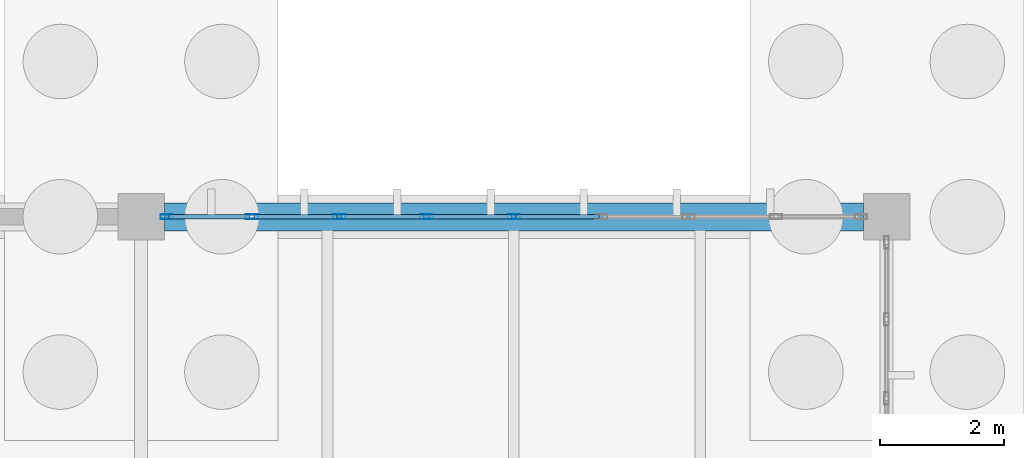
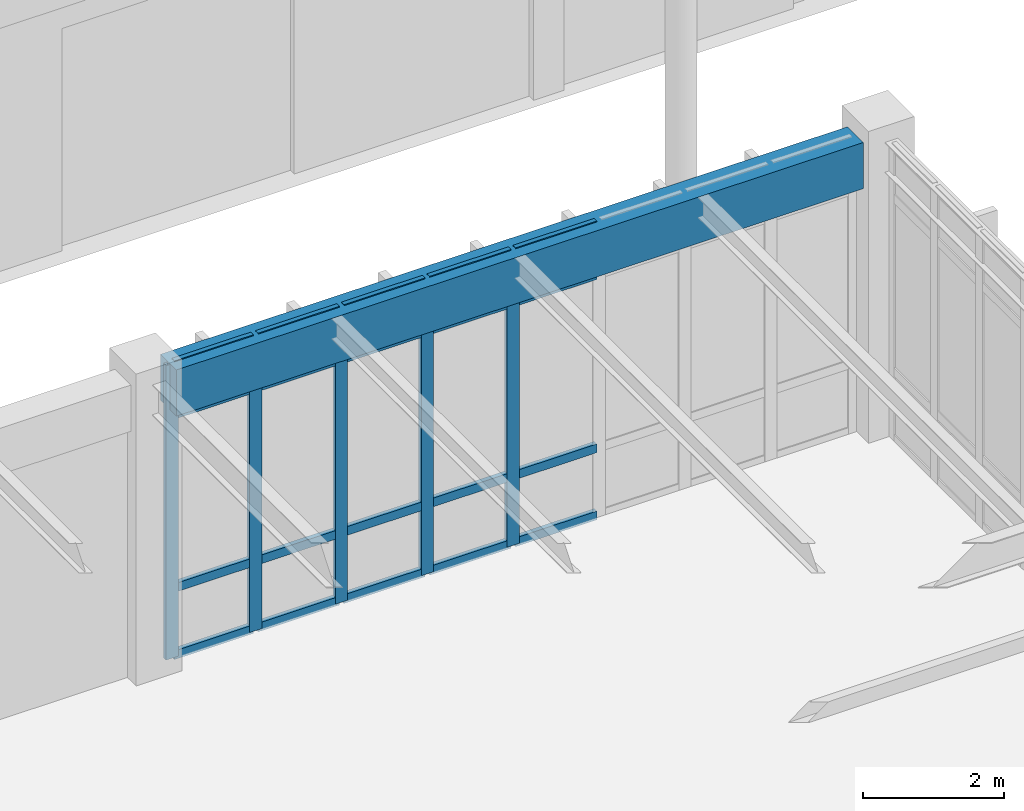
# One storey, part 82 of 188: 25 members, 1 beam, 1 element without a shape of its own.
"""IFC4 building model written with IfcOpenShell, lengths in metres."""

import ifcopenshell
import ifcopenshell.guid

model = None  # the IFC model being written
_history = None  # IfcOwnerHistory: only IFC2X3 demands one
_inside = {}  # id of a spatial element -> (the spatial element, [elements in it])
_under = {}  # id of a project, library or spatial element -> (it, [spatial elements below it])
_declared = {}  # id of a project -> (the project, [libraries it declares])
_typed = {}  # id of a type object -> (the type object, [elements of that type])
_made_of = {}  # id of a material, layer set ... -> (it, [elements and type objects made of it])


def new_model(schema):
    """Start an empty IFC model of exactly this schema.

    Asked for "IFC4X3", IfcOpenShell would pick the latest addendum, in which some entities
    have other attributes; the version numbers below select the first issue.
    IFC2X3 requires an IfcOwnerHistory on every rooted entity: one is made here for all.
    """
    global model, _history
    if schema == "IFC4X3":
        model = ifcopenshell.file(schema_version=(4, 3, 0, 0))
    else:
        model = ifcopenshell.file(schema=schema)
    _inside.clear()
    _under.clear()
    _declared.clear()
    _typed.clear()
    _made_of.clear()
    _history = None
    if model.schema == "IFC2X3":
        org = make("IfcOrganization", Name="unknown")
        user = make(
            "IfcPersonAndOrganization",
            ThePerson=make("IfcPerson", FamilyName="unknown"),
            TheOrganization=org,
        )
        app = make(
            "IfcApplication",
            ApplicationDeveloper=org,
            Version="unknown",
            ApplicationFullName="unknown",
            ApplicationIdentifier="unknown",
        )
        _history = make(
            "IfcOwnerHistory",
            OwningUser=user,
            OwningApplication=app,
            ChangeAction="ADDED",
            CreationDate=0,
        )
    return model


def make(cls, **values):
    """One entity of the class cls with the attributes given. An attribute that is None is left unset."""
    return model.create_entity(
        cls, **{name: value for name, value in values.items() if value is not None}
    )


def rooted(cls, **values):
    """An entity with a GlobalId (a new one), such as an element, a storey or a relation."""
    return make(cls, GlobalId=ifcopenshell.guid.new(), OwnerHistory=_history, **values)


def si_unit(unit_type, name, prefix=None):
    """IfcSIUnit, for example si_unit("LENGTHUNIT", "METRE", prefix="MILLI")."""
    return make("IfcSIUnit", UnitType=unit_type, Prefix=prefix, Name=name)


def assignment(units):
    """IfcUnitAssignment: the units of a project."""
    return None if units is None else make("IfcUnitAssignment", Units=units)


def point(xyz):
    """IfcCartesianPoint."""
    return None if xyz is None else make("IfcCartesianPoint", Coordinates=xyz)


def direction(xyz):
    """IfcDirection."""
    return None if xyz is None else make("IfcDirection", DirectionRatios=xyz)


def frame(location, z_axis=None, x_axis=None):
    """IfcAxis2Placement3D, a coordinate frame: its origin and axes. An axis left out is left unset."""
    return make(
        "IfcAxis2Placement3D",
        Location=point(location),
        Axis=direction(z_axis),
        RefDirection=direction(x_axis),
    )


def frame_2d(location, x_axis=None):
    """IfcAxis2Placement2D, a coordinate frame in the plane: its origin and x axis."""
    return make(
        "IfcAxis2Placement2D", Location=point(location), RefDirection=direction(x_axis)
    )


def origin():
    """The frame at (0, 0, 0) with its axes left unset."""
    return frame((0.0, 0.0, 0.0))


def origin_2d():
    """The frame at (0, 0) in the plane with its x axis left unset."""
    return frame_2d((0.0, 0.0))


def place(relative_to, where):
    """IfcLocalPlacement: puts the frame where relative to a parent placement (None: the world)."""
    return make(
        "IfcLocalPlacement", PlacementRelTo=relative_to, RelativePlacement=where
    )


def context(
    kind, dimensions, precision=None, world=None, true_north=None, identifier=None
):
    """IfcGeometricRepresentationContext, for example the 3D "Model" context."""
    return make(
        "IfcGeometricRepresentationContext",
        ContextIdentifier=identifier,
        ContextType=kind,
        CoordinateSpaceDimension=dimensions,
        Precision=precision,
        WorldCoordinateSystem=world,
        TrueNorth=true_north,
    )


def subcontext(parent, identifier, kind, view, scale=None):
    """IfcGeometricRepresentationSubContext, for example "Body" below "Model"."""
    return make(
        "IfcGeometricRepresentationSubContext",
        ContextIdentifier=identifier,
        ContextType=kind,
        ParentContext=parent,
        TargetScale=scale,
        TargetView=view,
    )


def project(units=None, contexts=None):
    """IfcProject with its units and contexts."""
    return rooted(
        "IfcProject",
        Name="project",
        RepresentationContexts=contexts,
        UnitsInContext=assignment(units),
    )


def spatial(cls, under=None, at=None, **own):
    """A site, building, storey or space (cls), placed at a placement, below another one or the project."""
    s = rooted(cls, ObjectPlacement=at, **own)
    if under is not None:
        _under.setdefault(under.id(), (under, []))[1].append(s)
    return s


def profile(cls, at=None, kind="AREA", **sizes):
    """A parametric profile (cls). Its sizes go by their IFC names, for example OverallWidth=200.0."""
    return make(cls, ProfileType=kind, Position=at, **sizes)


def rectangle(**sizes):
    """IfcRectangleProfileDef."""
    return profile("IfcRectangleProfileDef", **sizes)


def hollow_rectangle(**sizes):
    """IfcRectangleHollowProfileDef."""
    return profile("IfcRectangleHollowProfileDef", **sizes)


def extrude(swept, where, along, depth):
    """IfcExtrudedAreaSolid: the profile swept, set in the frame where, extruded along a direction by depth."""
    return make(
        "IfcExtrudedAreaSolid",
        SweptArea=swept,
        Position=where,
        ExtrudedDirection=direction(along),
        Depth=depth,
    )


def shape(context_of_items, identifier, shape_type, items):
    """IfcShapeRepresentation: the items that make up one representation, for example the "Body"."""
    return make(
        "IfcShapeRepresentation",
        ContextOfItems=context_of_items,
        RepresentationIdentifier=identifier,
        RepresentationType=shape_type,
        Items=items,
    )


def material(Name=None, Category=None):
    """IfcMaterial."""
    return make("IfcMaterial", Name=Name, Category=Category)


def layer(
    of_material, thickness, ventilated=None, Name=None, Category=None, Priority=None
):
    """IfcMaterialLayer: one layer of a wall or slab, of a material (None: an air gap)."""
    return make(
        "IfcMaterialLayer",
        Material=of_material,
        LayerThickness=thickness,
        IsVentilated=ventilated,
        Name=Name,
        Category=Category,
        Priority=Priority,
    )


def layer_set(layers, Name=None):
    """IfcMaterialLayerSet."""
    return make("IfcMaterialLayerSet", MaterialLayers=layers, LayerSetName=Name)


def material_profile(
    of_material, cross_section, Name=None, Category=None, Priority=None
):
    """IfcMaterialProfile: a cross section and its material."""
    return make(
        "IfcMaterialProfile",
        Name=Name,
        Material=of_material,
        Profile=cross_section,
        Priority=Priority,
        Category=Category,
    )


def profile_set(profiles, Name=None, composite=None):
    """IfcMaterialProfileSet."""
    return make(
        "IfcMaterialProfileSet",
        Name=Name,
        MaterialProfiles=profiles,
        CompositeProfile=composite,
    )


def made_of(thing, what):
    """Note that an element or type object is made of a material, layer set ...; save() writes the relation."""
    if what is not None:
        _made_of.setdefault(what.id(), (what, []))[1].append(thing)
    return thing


def type_object(cls, material=None, **own):
    """A type object (cls), such as IfcWallType, which elements share."""
    return made_of(rooted(cls, **own), material)


def element(
    cls,
    number,
    at=None,
    inside=None,
    cuts=None,
    type_object=None,
    material=None,
    context=None,
    identifier="Body",
    shape_type=None,
    held_by="IfcProductDefinitionShape",
    body=None,
    shapes=None,
    **own,
):
    """One element of the class cls, such as IfcWall. Its Tag is "e" and its number.

    at: its placement. inside: the storey or other place that contains it. cuts: it is an
    opening in that element (IfcRelVoidsElement). A single representation is given by context,
    identifier, shape_type and body (its items); several are given by shapes. held_by: the class
    of the entity that holds the representations. save() writes the other relations.
    """
    e = rooted(cls, Tag="e%d" % number, ObjectPlacement=at, **own)
    if body is not None:
        shapes = [shape(context, identifier, shape_type, body)]
    if shapes is not None:
        e.Representation = make(held_by, Representations=shapes)
    if inside is not None:
        _inside.setdefault(inside.id(), (inside, []))[1].append(e)
    if cuts is not None:
        rooted(
            "IfcRelVoidsElement", RelatingBuildingElement=cuts, RelatedOpeningElement=e
        )
    if type_object is not None:
        _typed.setdefault(type_object.id(), (type_object, []))[1].append(e)
    return made_of(e, material)


def aggregate(whole, parts):
    """IfcRelAggregates: a whole, such as a stair, and the parts it consists of."""
    return rooted("IfcRelAggregates", RelatingObject=whole, RelatedObjects=parts)


def save(model, path):
    """Write the relations noted so far, then the file.

    IfcRelAggregates (storeys below a building ...), IfcRelContainedInSpatialStructure (elements
    in a storey), IfcRelDefinesByType, IfcRelAssociatesMaterial and IfcRelDeclares: one each for
    every whole, place, type object, material and project.
    """
    for whole, parts in _under.values():
        aggregate(whole, parts)
    for where, things in _inside.values():
        rooted(
            "IfcRelContainedInSpatialStructure",
            RelatedElements=things,
            RelatingStructure=where,
        )
    for kind, things in _typed.values():
        rooted("IfcRelDefinesByType", RelatedObjects=things, RelatingType=kind)
    for what, things in _made_of.values():
        rooted("IfcRelAssociatesMaterial", RelatedObjects=things, RelatingMaterial=what)
    for by, libraries in _declared.values():
        rooted("IfcRelDeclares", RelatingContext=by, RelatedDefinitions=libraries)
    model.write(path)


model = new_model("IFC4")

# Units and contexts
model_context = context("Model", 3, precision=1e-05, world=origin(), true_north=direction((0.0, 1.0)))
body_context = subcontext(model_context, "Body", "Model", "MODEL_VIEW")
ifc_project = project(units=[si_unit("LENGTHUNIT", "METRE"), si_unit("AREAUNIT", "SQUARE_METRE"), si_unit("VOLUMEUNIT", "CUBIC_METRE"), si_unit("PLANEANGLEUNIT", "RADIAN"), si_unit("MASSUNIT", "GRAM", prefix="KILO")], contexts=[model_context])

# Site, building, storey
site_placement = place(None, origin())
site = spatial("IfcSite", under=ifc_project, at=site_placement, CompositionType="ELEMENT")
building_placement = place(site_placement, origin())
building = spatial("IfcBuilding", under=site, at=building_placement, Name="Pandanus Reach Market Hall", CompositionType="ELEMENT")
storey_placement = place(building_placement, origin())
storey = spatial("IfcBuildingStorey", under=building, at=storey_placement, Name="L00", CompositionType="ELEMENT", Elevation=0.0)

# Beam
ifc_material_1 = material(Name="Concrete N40 (40 MPa)", Category="concrete")
ifc_material_profile_1 = material_profile(ifc_material_1, rectangle(XDim=0.449951171875, YDim=0.800048828125, at=origin_2d()), Name="RC450x800", Category="LoadBearing")
ifc_profile_set_1 = profile_set([ifc_material_profile_1], Name="Concrete N40 (40 MPa)")
beam_type = type_object("IfcBeamType", Name="BM-RC450-E", PredefinedType="SPANDREL", material=ifc_profile_set_1)
beam_placement = place(storey_placement, frame((120.373046875, 86.39990234375, 4.719970703125), z_axis=(1.0, 0.0, 0.0), x_axis=(0.0, 1.0, 0.0)))
element("IfcBeam", 1, at=beam_placement, inside=storey, type_object=beam_type, Name="Framing beam BM-RC450-E L00.1065", PredefinedType="SPANDREL", context=body_context, shape_type="SweptSolid", body=[
    extrude(rectangle(XDim=0.449951171875, YDim=0.800048828125, at=origin_2d()), origin(), (0.0, 0.0, 1.0), 11.25390625),
])

# Curtain wall, members
ifc_material_2 = material(Name="Bronze anodised aluminium and low-E glass", Category="aluminium")
ifc_layer = layer(ifc_material_2, 0.199951171875, Name="CW-01")
ifc_layer_set = layer_set([ifc_layer], Name="Bronze anodised aluminium and low-E glass")
curtain_wall_type = type_object("IfcCurtainWallType", Name="CW-01", PredefinedType="NOTDEFINED", material=ifc_layer_set)
curtain_wall_placement = place(storey_placement, origin())
curtain_wall = element("IfcCurtainWall", 2, at=curtain_wall_placement, inside=storey, type_object=curtain_wall_type, Name="Glazed curtain wall CW-01 CW-0017", PredefinedType="NOTDEFINED")
ifc_material_3 = material(Name="Bronze anodised aluminium", Category="aluminium")
ifc_material_profile_2 = material_profile(ifc_material_3, hollow_rectangle(XDim=0.074951171875, YDim=0.199951171875, WallThickness=0.00439453125, at=origin_2d()), Name="ALU75x200", Category="LoadBearing")
ifc_profile_set_2 = profile_set([ifc_material_profile_2], Name="Bronze anodised aluminium")
member_type_1 = type_object("IfcMemberType", Name="CW-M2", PredefinedType="MULLION", material=ifc_profile_set_2)
member_1_placement = place(storey_placement, frame((120.41259765625, 86.39990234375, 0.0), z_axis=(0.0, 0.0, 1.0), x_axis=(0.0, 1.0, 0.0)))
member_1 = element("IfcMember", 3, at=member_1_placement, type_object=member_type_1, Name="CW-01 mullion 1", PredefinedType="MULLION", context=body_context, shape_type="SweptSolid", body=[
    extrude(hollow_rectangle(XDim=0.074951171875, YDim=0.199951171875, WallThickness=0.00439453125, at=origin_2d()), origin(), (0.0, 0.0, 1.0), 5.10009765625),
])
member_2_placement = place(storey_placement, frame((121.78125, 86.39990234375, 0.0), z_axis=(0.0, 0.0, 1.0), x_axis=(0.0, 1.0, 0.0)))
member_2 = element("IfcMember", 4, at=member_2_placement, type_object=member_type_1, Name="CW-01 mullion 2", PredefinedType="MULLION", context=body_context, shape_type="SweptSolid", body=[
    extrude(hollow_rectangle(XDim=0.074951171875, YDim=0.199951171875, WallThickness=0.00439453125, at=origin_2d()), origin(), (0.0, 0.0, 1.0), 5.10009765625),
])
member_3_placement = place(storey_placement, frame((123.1875, 86.39990234375, 0.0), z_axis=(0.0, 0.0, 1.0), x_axis=(0.0, 1.0, 0.0)))
member_3 = element("IfcMember", 5, at=member_3_placement, type_object=member_type_1, Name="CW-01 mullion 3", PredefinedType="MULLION", context=body_context, shape_type="SweptSolid", body=[
    extrude(hollow_rectangle(XDim=0.074951171875, YDim=0.199951171875, WallThickness=0.00439453125, at=origin_2d()), origin(), (0.0, 0.0, 1.0), 5.10009765625),
])
member_4_placement = place(storey_placement, frame((124.59375, 86.39990234375, 0.0), z_axis=(0.0, 0.0, 1.0), x_axis=(0.0, 1.0, 0.0)))
member_4 = element("IfcMember", 6, at=member_4_placement, type_object=member_type_1, Name="CW-01 mullion 4", PredefinedType="MULLION", context=body_context, shape_type="SweptSolid", body=[
    extrude(hollow_rectangle(XDim=0.074951171875, YDim=0.199951171875, WallThickness=0.00439453125, at=origin_2d()), origin(), (0.0, 0.0, 1.0), 5.10009765625),
])
member_5_placement = place(storey_placement, frame((126.0, 86.39990234375, 0.0), z_axis=(0.0, 0.0, 1.0), x_axis=(0.0, 1.0, 0.0)))
member_5 = element("IfcMember", 7, at=member_5_placement, type_object=member_type_1, Name="CW-01 mullion 5", PredefinedType="MULLION", context=body_context, shape_type="SweptSolid", body=[
    extrude(hollow_rectangle(XDim=0.074951171875, YDim=0.199951171875, WallThickness=0.00439453125, at=origin_2d()), origin(), (0.0, 0.0, 1.0), 5.10009765625),
])
ifc_material_profile_3 = material_profile(ifc_material_3, hollow_rectangle(XDim=0.074951171875, YDim=0.14990234375, WallThickness=0.00439453125, at=origin_2d()), Name="ALU75x150", Category="LoadBearing")
ifc_profile_set_3 = profile_set([ifc_material_profile_3], Name="Bronze anodised aluminium")
member_type_2 = type_object("IfcMemberType", Name="CW-T2", PredefinedType="USERDEFINED", material=ifc_profile_set_3)
member_6_placement = place(storey_placement, frame((120.449951171875, 86.39990234375, 0.03759765625), z_axis=(1.0, 0.0, 0.0), x_axis=(0.0, 1.0, 0.0)))
member_6 = element("IfcMember", 8, at=member_6_placement, type_object=member_type_2, Name="CW-01 transom 1.1", ObjectType="TRANSOM", PredefinedType="USERDEFINED", context=body_context, shape_type="SweptSolid", body=[
    extrude(hollow_rectangle(XDim=0.074951171875, YDim=0.14990234375, WallThickness=0.00439453125, at=origin_2d()), origin(), (0.0, 0.0, 1.0), 1.293701171875),
])
member_7_placement = place(storey_placement, frame((120.449951171875, 86.39990234375, 1.199951171875), z_axis=(1.0, 0.0, 0.0), x_axis=(0.0, 1.0, 0.0)))
member_7 = element("IfcMember", 9, at=member_7_placement, type_object=member_type_2, Name="CW-01 transom 1.2", ObjectType="TRANSOM", PredefinedType="USERDEFINED", context=body_context, shape_type="SweptSolid", body=[
    extrude(hollow_rectangle(XDim=0.074951171875, YDim=0.14990234375, WallThickness=0.00439453125, at=origin_2d()), origin(), (0.0, 0.0, 1.0), 1.293701171875),
])
member_8_placement = place(storey_placement, frame((120.449951171875, 86.39990234375, 4.199951171875), z_axis=(1.0, 0.0, 0.0), x_axis=(0.0, 1.0, 0.0)))
member_8 = element("IfcMember", 10, at=member_8_placement, type_object=member_type_2, Name="CW-01 transom 1.3", ObjectType="TRANSOM", PredefinedType="USERDEFINED", context=body_context, shape_type="SweptSolid", body=[
    extrude(hollow_rectangle(XDim=0.074951171875, YDim=0.14990234375, WallThickness=0.00439453125, at=origin_2d()), origin(), (0.0, 0.0, 1.0), 1.293701171875),
])
member_9_placement = place(storey_placement, frame((120.449951171875, 86.39990234375, 5.0625), z_axis=(1.0, 0.0, 0.0), x_axis=(0.0, 1.0, 0.0)))
member_9 = element("IfcMember", 11, at=member_9_placement, type_object=member_type_2, Name="CW-01 transom 1.4", ObjectType="TRANSOM", PredefinedType="USERDEFINED", context=body_context, shape_type="SweptSolid", body=[
    extrude(hollow_rectangle(XDim=0.074951171875, YDim=0.14990234375, WallThickness=0.00439453125, at=origin_2d()), origin(), (0.0, 0.0, 1.0), 1.293701171875),
])
member_10_placement = place(storey_placement, frame((121.81884765625, 86.39990234375, 0.03759765625), z_axis=(1.0, 0.0, 0.0), x_axis=(0.0, 1.0, 0.0)))
member_10 = element("IfcMember", 12, at=member_10_placement, type_object=member_type_2, Name="CW-01 transom 2.1", ObjectType="TRANSOM", PredefinedType="USERDEFINED", context=body_context, shape_type="SweptSolid", body=[
    extrude(hollow_rectangle(XDim=0.074951171875, YDim=0.14990234375, WallThickness=0.00439453125, at=origin_2d()), origin(), (0.0, 0.0, 1.0), 1.3310546875),
])
member_11_placement = place(storey_placement, frame((121.81884765625, 86.39990234375, 1.199951171875), z_axis=(1.0, 0.0, 0.0), x_axis=(0.0, 1.0, 0.0)))
member_11 = element("IfcMember", 13, at=member_11_placement, type_object=member_type_2, Name="CW-01 transom 2.2", ObjectType="TRANSOM", PredefinedType="USERDEFINED", context=body_context, shape_type="SweptSolid", body=[
    extrude(hollow_rectangle(XDim=0.074951171875, YDim=0.14990234375, WallThickness=0.00439453125, at=origin_2d()), origin(), (0.0, 0.0, 1.0), 1.3310546875),
])
member_12_placement = place(storey_placement, frame((121.81884765625, 86.39990234375, 4.199951171875), z_axis=(1.0, 0.0, 0.0), x_axis=(0.0, 1.0, 0.0)))
member_12 = element("IfcMember", 14, at=member_12_placement, type_object=member_type_2, Name="CW-01 transom 2.3", ObjectType="TRANSOM", PredefinedType="USERDEFINED", context=body_context, shape_type="SweptSolid", body=[
    extrude(hollow_rectangle(XDim=0.074951171875, YDim=0.14990234375, WallThickness=0.00439453125, at=origin_2d()), origin(), (0.0, 0.0, 1.0), 1.3310546875),
])
member_13_placement = place(storey_placement, frame((121.81884765625, 86.39990234375, 5.0625), z_axis=(1.0, 0.0, 0.0), x_axis=(0.0, 1.0, 0.0)))
member_13 = element("IfcMember", 15, at=member_13_placement, type_object=member_type_2, Name="CW-01 transom 2.4", ObjectType="TRANSOM", PredefinedType="USERDEFINED", context=body_context, shape_type="SweptSolid", body=[
    extrude(hollow_rectangle(XDim=0.074951171875, YDim=0.14990234375, WallThickness=0.00439453125, at=origin_2d()), origin(), (0.0, 0.0, 1.0), 1.3310546875),
])
member_14_placement = place(storey_placement, frame((123.22509765625, 86.39990234375, 0.03759765625), z_axis=(1.0, 0.0, 0.0), x_axis=(0.0, 1.0, 0.0)))
member_14 = element("IfcMember", 16, at=member_14_placement, type_object=member_type_2, Name="CW-01 transom 3.1", ObjectType="TRANSOM", PredefinedType="USERDEFINED", context=body_context, shape_type="SweptSolid", body=[
    extrude(hollow_rectangle(XDim=0.074951171875, YDim=0.14990234375, WallThickness=0.00439453125, at=origin_2d()), origin(), (0.0, 0.0, 1.0), 1.3310546875),
])
member_15_placement = place(storey_placement, frame((123.22509765625, 86.39990234375, 1.199951171875), z_axis=(1.0, 0.0, 0.0), x_axis=(0.0, 1.0, 0.0)))
member_15 = element("IfcMember", 17, at=member_15_placement, type_object=member_type_2, Name="CW-01 transom 3.2", ObjectType="TRANSOM", PredefinedType="USERDEFINED", context=body_context, shape_type="SweptSolid", body=[
    extrude(hollow_rectangle(XDim=0.074951171875, YDim=0.14990234375, WallThickness=0.00439453125, at=origin_2d()), origin(), (0.0, 0.0, 1.0), 1.3310546875),
])
member_16_placement = place(storey_placement, frame((123.22509765625, 86.39990234375, 4.199951171875), z_axis=(1.0, 0.0, 0.0), x_axis=(0.0, 1.0, 0.0)))
member_16 = element("IfcMember", 18, at=member_16_placement, type_object=member_type_2, Name="CW-01 transom 3.3", ObjectType="TRANSOM", PredefinedType="USERDEFINED", context=body_context, shape_type="SweptSolid", body=[
    extrude(hollow_rectangle(XDim=0.074951171875, YDim=0.14990234375, WallThickness=0.00439453125, at=origin_2d()), origin(), (0.0, 0.0, 1.0), 1.3310546875),
])
member_17_placement = place(storey_placement, frame((123.22509765625, 86.39990234375, 5.0625), z_axis=(1.0, 0.0, 0.0), x_axis=(0.0, 1.0, 0.0)))
member_17 = element("IfcMember", 19, at=member_17_placement, type_object=member_type_2, Name="CW-01 transom 3.4", ObjectType="TRANSOM", PredefinedType="USERDEFINED", context=body_context, shape_type="SweptSolid", body=[
    extrude(hollow_rectangle(XDim=0.074951171875, YDim=0.14990234375, WallThickness=0.00439453125, at=origin_2d()), origin(), (0.0, 0.0, 1.0), 1.3310546875),
])
member_18_placement = place(storey_placement, frame((124.63134765625, 86.39990234375, 0.03759765625), z_axis=(1.0, 0.0, 0.0), x_axis=(0.0, 1.0, 0.0)))
member_18 = element("IfcMember", 20, at=member_18_placement, type_object=member_type_2, Name="CW-01 transom 4.1", ObjectType="TRANSOM", PredefinedType="USERDEFINED", context=body_context, shape_type="SweptSolid", body=[
    extrude(hollow_rectangle(XDim=0.074951171875, YDim=0.14990234375, WallThickness=0.00439453125, at=origin_2d()), origin(), (0.0, 0.0, 1.0), 1.3310546875),
])
member_19_placement = place(storey_placement, frame((124.63134765625, 86.39990234375, 1.199951171875), z_axis=(1.0, 0.0, 0.0), x_axis=(0.0, 1.0, 0.0)))
member_19 = element("IfcMember", 21, at=member_19_placement, type_object=member_type_2, Name="CW-01 transom 4.2", ObjectType="TRANSOM", PredefinedType="USERDEFINED", context=body_context, shape_type="SweptSolid", body=[
    extrude(hollow_rectangle(XDim=0.074951171875, YDim=0.14990234375, WallThickness=0.00439453125, at=origin_2d()), origin(), (0.0, 0.0, 1.0), 1.3310546875),
])
member_20_placement = place(storey_placement, frame((124.63134765625, 86.39990234375, 4.199951171875), z_axis=(1.0, 0.0, 0.0), x_axis=(0.0, 1.0, 0.0)))
member_20 = element("IfcMember", 22, at=member_20_placement, type_object=member_type_2, Name="CW-01 transom 4.3", ObjectType="TRANSOM", PredefinedType="USERDEFINED", context=body_context, shape_type="SweptSolid", body=[
    extrude(hollow_rectangle(XDim=0.074951171875, YDim=0.14990234375, WallThickness=0.00439453125, at=origin_2d()), origin(), (0.0, 0.0, 1.0), 1.3310546875),
])
member_21_placement = place(storey_placement, frame((124.63134765625, 86.39990234375, 5.0625), z_axis=(1.0, 0.0, 0.0), x_axis=(0.0, 1.0, 0.0)))
member_21 = element("IfcMember", 23, at=member_21_placement, type_object=member_type_2, Name="CW-01 transom 4.4", ObjectType="TRANSOM", PredefinedType="USERDEFINED", context=body_context, shape_type="SweptSolid", body=[
    extrude(hollow_rectangle(XDim=0.074951171875, YDim=0.14990234375, WallThickness=0.00439453125, at=origin_2d()), origin(), (0.0, 0.0, 1.0), 1.3310546875),
])
member_22_placement = place(storey_placement, frame((126.03759765625, 86.39990234375, 0.03759765625), z_axis=(1.0, 0.0, 0.0), x_axis=(0.0, 1.0, 0.0)))
member_22 = element("IfcMember", 24, at=member_22_placement, type_object=member_type_2, Name="CW-01 transom 5.1", ObjectType="TRANSOM", PredefinedType="USERDEFINED", context=body_context, shape_type="SweptSolid", body=[
    extrude(hollow_rectangle(XDim=0.074951171875, YDim=0.14990234375, WallThickness=0.00439453125, at=origin_2d()), origin(), (0.0, 0.0, 1.0), 1.3310546875),
])
member_23_placement = place(storey_placement, frame((126.03759765625, 86.39990234375, 1.199951171875), z_axis=(1.0, 0.0, 0.0), x_axis=(0.0, 1.0, 0.0)))
member_23 = element("IfcMember", 25, at=member_23_placement, type_object=member_type_2, Name="CW-01 transom 5.2", ObjectType="TRANSOM", PredefinedType="USERDEFINED", context=body_context, shape_type="SweptSolid", body=[
    extrude(hollow_rectangle(XDim=0.074951171875, YDim=0.14990234375, WallThickness=0.00439453125, at=origin_2d()), origin(), (0.0, 0.0, 1.0), 1.3310546875),
])
member_24_placement = place(storey_placement, frame((126.03759765625, 86.39990234375, 4.199951171875), z_axis=(1.0, 0.0, 0.0), x_axis=(0.0, 1.0, 0.0)))
member_24 = element("IfcMember", 26, at=member_24_placement, type_object=member_type_2, Name="CW-01 transom 5.3", ObjectType="TRANSOM", PredefinedType="USERDEFINED", context=body_context, shape_type="SweptSolid", body=[
    extrude(hollow_rectangle(XDim=0.074951171875, YDim=0.14990234375, WallThickness=0.00439453125, at=origin_2d()), origin(), (0.0, 0.0, 1.0), 1.3310546875),
])
member_25_placement = place(storey_placement, frame((126.03759765625, 86.39990234375, 5.0625), z_axis=(1.0, 0.0, 0.0), x_axis=(0.0, 1.0, 0.0)))
member_25 = element("IfcMember", 27, at=member_25_placement, type_object=member_type_2, Name="CW-01 transom 5.4", ObjectType="TRANSOM", PredefinedType="USERDEFINED", context=body_context, shape_type="SweptSolid", body=[
    extrude(hollow_rectangle(XDim=0.074951171875, YDim=0.14990234375, WallThickness=0.00439453125, at=origin_2d()), origin(), (0.0, 0.0, 1.0), 1.3310546875),
])
aggregate(curtain_wall, [member_1, member_2, member_3, member_4, member_5, member_6, member_7, member_8, member_9, member_10, member_11, member_12, member_13, member_14, member_15, member_16, member_17, member_18, member_19, member_20, member_21, member_22, member_23, member_24, member_25])

save(model, "model.ifc")
